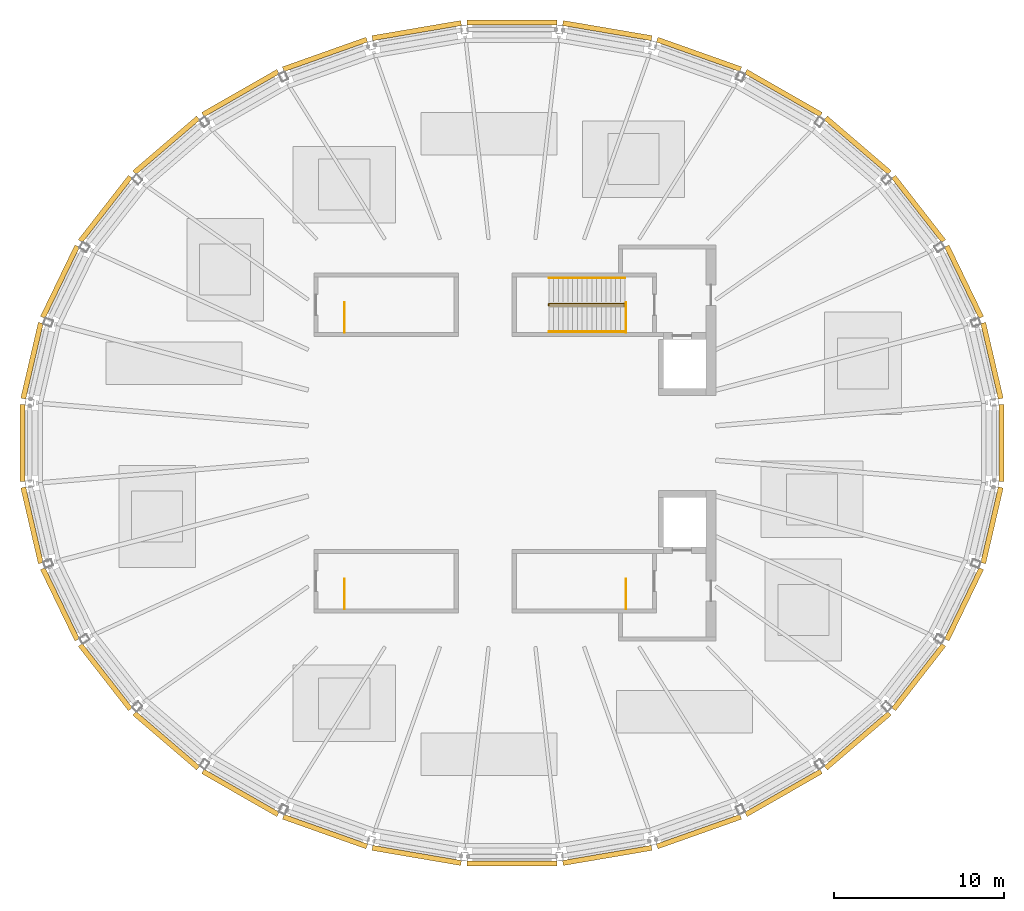
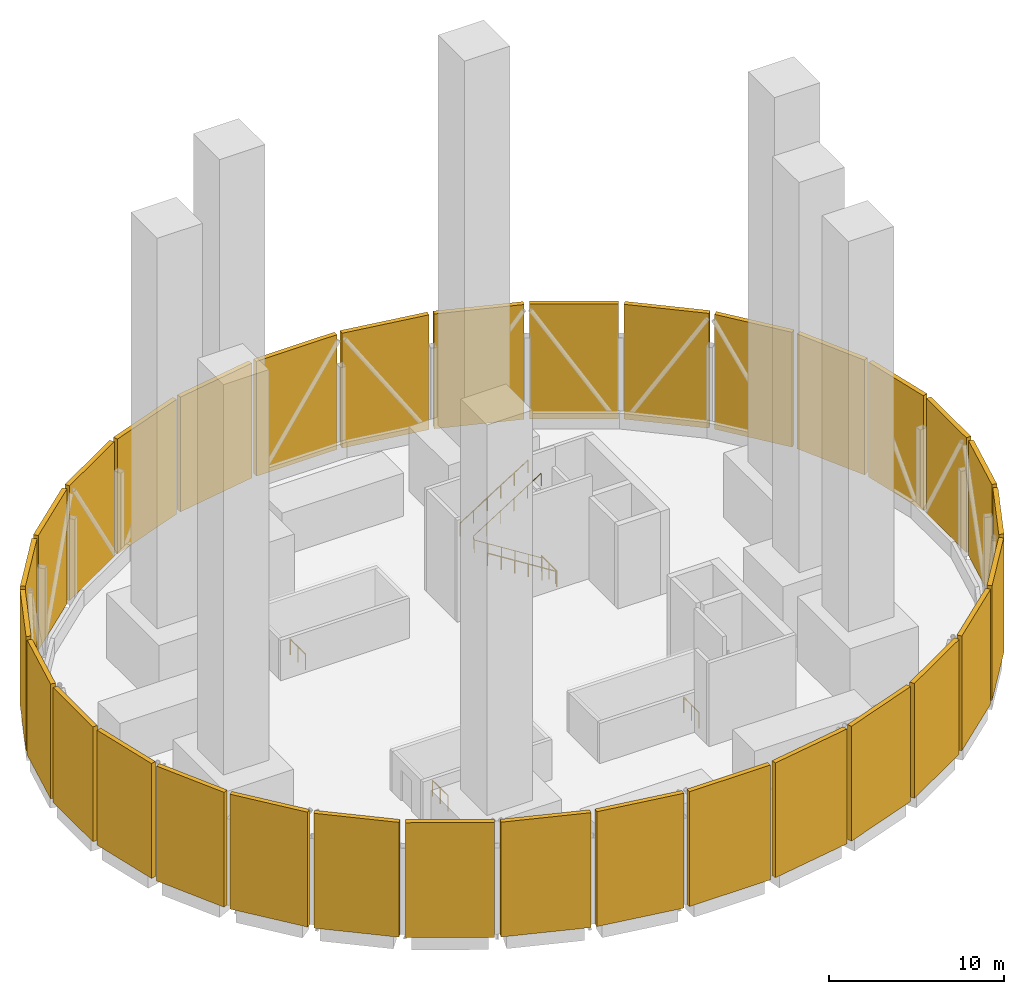
# One storey, part 6 of 7: 32 shading devices, 7 railings.
"""IFC4 building model written with IfcOpenShell, lengths in metres."""

from ifc_helpers import new_model, si_unit, direction, frame, origin, origin_2d, place, context, subcontext, project, spatial, rectangle, circle, extrude, material, layer, layer_set, type_object, element, save


model = new_model("IFC4")

# Units and contexts
model_context = context("Model", 3, precision=1e-05, world=origin(), true_north=direction((0.0, 1.0)))
body_context = subcontext(model_context, "Body", "Model", "MODEL_VIEW")
ifc_project = project(units=[si_unit("LENGTHUNIT", "METRE"), si_unit("AREAUNIT", "SQUARE_METRE"), si_unit("VOLUMEUNIT", "CUBIC_METRE"), si_unit("PLANEANGLEUNIT", "RADIAN"), si_unit("MASSUNIT", "GRAM", prefix="KILO")], contexts=[model_context])

# Site, building, storey
site_placement = place(None, origin())
site = spatial("IfcSite", under=ifc_project, at=site_placement, CompositionType="ELEMENT")
building_placement = place(site_placement, origin())
building = spatial("IfcBuilding", under=site, at=building_placement, Name="Halqa Exchange Tower", CompositionType="ELEMENT")
storey_placement = place(building_placement, frame((0.0, 0.0, 349.300048828125)))
storey = spatial("IfcBuildingStorey", under=building, at=storey_placement, Name="Roof crown", CompositionType="ELEMENT", Elevation=349.300048828125)

# Shading devices
ifc_material_1 = material(Name="Anodised aluminium louvre", Category="aluminium")
ifc_layer = layer(ifc_material_1, 0.300048828125)
ifc_layer_set = layer_set([ifc_layer], Name="Anodised aluminium louvre")
shading_device_type = type_object("IfcShadingDeviceType", Name="Crown louvre SCREEN panel 300", PredefinedType="USERDEFINED", material=ifc_layer_set)
shading_device_1_placement = place(storey_placement, frame((28.221923828125, 4.83642578125, 0.0), z_axis=(0.0, 0.0, 1.0), x_axis=(-0.22612090233, 0.974099244189, 0.0)))
element("IfcShadingDevice", 1, at=shading_device_1_placement, inside=storey, type_object=shading_device_type, Name="Crown louvre SCREEN 1.1", ObjectType="SCREEN", PredefinedType="USERDEFINED", context=body_context, shape_type="SweptSolid", body=[
    extrude(rectangle(XDim=4.570556640625, YDim=0.300048828125, at=origin_2d()), origin(), (0.0, 0.0, 1.0), 8.0),
])
shading_device_2_placement = place(storey_placement, frame((26.576904296875, 9.4833984375, 0.0), z_axis=(0.0, 0.0, 1.0), x_axis=(-0.435179244012, 0.900343837421, 0.0)))
element("IfcShadingDevice", 2, at=shading_device_2_placement, inside=storey, type_object=shading_device_type, Name="Crown louvre SCREEN 2.1", ObjectType="SCREEN", PredefinedType="USERDEFINED", context=body_context, shape_type="SweptSolid", body=[
    extrude(rectangle(XDim=4.660400390625, YDim=0.300048828125, at=origin_2d()), origin(), (0.0, 0.0, 1.0), 8.0),
])
shading_device_3_placement = place(storey_placement, frame((23.9091796875, 13.760498046875, 0.0), z_axis=(0.0, 0.0, 1.0), x_axis=(-0.6149075085, 0.788599236616, 0.0)))
element("IfcShadingDevice", 3, at=shading_device_3_placement, inside=storey, type_object=shading_device_type, Name="Crown louvre SCREEN 3.1", ObjectType="SCREEN", PredefinedType="USERDEFINED", context=body_context, shape_type="SweptSolid", body=[
    extrude(rectangle(XDim=4.792236328125, YDim=0.300048828125, at=origin_2d()), origin(), (0.0, 0.0, 1.0), 8.0),
])
shading_device_4_placement = place(storey_placement, frame((20.324462890625, 17.503662109375, 0.0), z_axis=(0.0, 0.0, 1.0), x_axis=(-0.759317873817, 0.650719883284, 0.0)))
element("IfcShadingDevice", 4, at=shading_device_4_placement, inside=storey, type_object=shading_device_type, Name="Crown louvre SCREEN 4.1", ObjectType="SCREEN", PredefinedType="USERDEFINED", context=body_context, shape_type="SweptSolid", body=[
    extrude(rectangle(XDim=4.943603515625, YDim=0.300048828125, at=origin_2d()), origin(), (0.0, 0.0, 1.0), 8.0),
])
shading_device_5_placement = place(storey_placement, frame((15.962646484375, 20.5712890625, 0.0), z_axis=(0.0, 0.0, 1.0), x_axis=(-0.867803615671, 0.496907319959, 0.0)))
element("IfcShadingDevice", 5, at=shading_device_5_placement, inside=storey, type_object=shading_device_type, Name="Crown louvre SCREEN 5.1", ObjectType="SCREEN", PredefinedType="USERDEFINED", context=body_context, shape_type="SweptSolid", body=[
    extrude(rectangle(XDim=5.0908203125, YDim=0.300048828125, at=origin_2d()), origin(), (0.0, 0.0, 1.0), 8.0),
])
shading_device_6_placement = place(storey_placement, frame((10.99169921875, 22.84814453125, 0.0), z_axis=(0.0, 0.0, 1.0), x_axis=(-0.94238778719, 0.334522433559, 0.0)))
element("IfcShadingDevice", 6, at=shading_device_6_placement, inside=storey, type_object=shading_device_type, Name="Crown louvre SCREEN 6.1", ObjectType="SCREEN", PredefinedType="USERDEFINED", context=body_context, shape_type="SweptSolid", body=[
    extrude(rectangle(XDim=5.212646484375, YDim=0.300048828125, at=origin_2d()), origin(), (0.0, 0.0, 1.0), 8.0),
])
shading_device_7_placement = place(storey_placement, frame((5.6025390625, 24.249267578125, 0.0), z_axis=(0.0, 0.0, 1.0), x_axis=(-0.985778359171, 0.168050666732, 0.0)))
element("IfcShadingDevice", 7, at=shading_device_7_placement, inside=storey, type_object=shading_device_type, Name="Crown louvre SCREEN 7.1", ObjectType="SCREEN", PredefinedType="USERDEFINED", context=body_context, shape_type="SweptSolid", body=[
    extrude(rectangle(XDim=5.29248046875, YDim=0.300048828125, at=origin_2d()), origin(), (0.0, 0.0, 1.0), 8.0),
])
shading_device_8_placement = place(storey_placement, frame((0.0, 24.72216796875, 0.0), z_axis=(0.0, 0.0, 1.0), x_axis=(-1.0, 0.0, 0.0)))
element("IfcShadingDevice", 8, at=shading_device_8_placement, inside=storey, type_object=shading_device_type, Name="Crown louvre SCREEN 8.1", ObjectType="SCREEN", PredefinedType="USERDEFINED", context=body_context, shape_type="SweptSolid", body=[
    extrude(rectangle(XDim=5.320556640625, YDim=0.300048828125, at=origin_2d()), origin(), (0.0, 0.0, 1.0), 8.0),
])
shading_device_9_placement = place(storey_placement, frame((-5.6025390625, 24.249267578125, 0.0), z_axis=(0.0, 0.0, 1.0), x_axis=(-0.985778359171, -0.168050666732, 0.0)))
element("IfcShadingDevice", 9, at=shading_device_9_placement, inside=storey, type_object=shading_device_type, Name="Crown louvre SCREEN 9.1", ObjectType="SCREEN", PredefinedType="USERDEFINED", context=body_context, shape_type="SweptSolid", body=[
    extrude(rectangle(XDim=5.29248046875, YDim=0.300048828125, at=origin_2d()), origin(), (0.0, 0.0, 1.0), 8.0),
])
shading_device_10_placement = place(storey_placement, frame((-10.99169921875, 22.84814453125, 0.0), z_axis=(0.0, 0.0, 1.0), x_axis=(-0.94238778719, -0.334522433559, 0.0)))
element("IfcShadingDevice", 10, at=shading_device_10_placement, inside=storey, type_object=shading_device_type, Name="Crown louvre SCREEN 10.1", ObjectType="SCREEN", PredefinedType="USERDEFINED", context=body_context, shape_type="SweptSolid", body=[
    extrude(rectangle(XDim=5.212646484375, YDim=0.300048828125, at=origin_2d()), origin(), (0.0, 0.0, 1.0), 8.0),
])
shading_device_11_placement = place(storey_placement, frame((-15.962646484375, 20.5712890625, 0.0), z_axis=(0.0, 0.0, 1.0), x_axis=(-0.867803615671, -0.496907319959, 0.0)))
element("IfcShadingDevice", 11, at=shading_device_11_placement, inside=storey, type_object=shading_device_type, Name="Crown louvre SCREEN 11.1", ObjectType="SCREEN", PredefinedType="USERDEFINED", context=body_context, shape_type="SweptSolid", body=[
    extrude(rectangle(XDim=5.0908203125, YDim=0.300048828125, at=origin_2d()), origin(), (0.0, 0.0, 1.0), 8.0),
])
shading_device_12_placement = place(storey_placement, frame((-20.324462890625, 17.503662109375, 0.0), z_axis=(0.0, 0.0, 1.0), x_axis=(-0.759317873817, -0.650719883284, 0.0)))
element("IfcShadingDevice", 12, at=shading_device_12_placement, inside=storey, type_object=shading_device_type, Name="Crown louvre SCREEN 12.1", ObjectType="SCREEN", PredefinedType="USERDEFINED", context=body_context, shape_type="SweptSolid", body=[
    extrude(rectangle(XDim=4.943603515625, YDim=0.300048828125, at=origin_2d()), origin(), (0.0, 0.0, 1.0), 8.0),
])
shading_device_13_placement = place(storey_placement, frame((-23.9091796875, 13.760498046875, 0.0), z_axis=(0.0, 0.0, 1.0), x_axis=(-0.6149075085, -0.788599236616, 0.0)))
element("IfcShadingDevice", 13, at=shading_device_13_placement, inside=storey, type_object=shading_device_type, Name="Crown louvre SCREEN 13.1", ObjectType="SCREEN", PredefinedType="USERDEFINED", context=body_context, shape_type="SweptSolid", body=[
    extrude(rectangle(XDim=4.792236328125, YDim=0.300048828125, at=origin_2d()), origin(), (0.0, 0.0, 1.0), 8.0),
])
shading_device_14_placement = place(storey_placement, frame((-26.576904296875, 9.4833984375, 0.0), z_axis=(0.0, 0.0, 1.0), x_axis=(-0.435179244012, -0.900343837421, 0.0)))
element("IfcShadingDevice", 14, at=shading_device_14_placement, inside=storey, type_object=shading_device_type, Name="Crown louvre SCREEN 14.1", ObjectType="SCREEN", PredefinedType="USERDEFINED", context=body_context, shape_type="SweptSolid", body=[
    extrude(rectangle(XDim=4.660400390625, YDim=0.300048828125, at=origin_2d()), origin(), (0.0, 0.0, 1.0), 8.0),
])
shading_device_15_placement = place(storey_placement, frame((-28.221923828125, 4.83642578125, 0.0), z_axis=(0.0, 0.0, 1.0), x_axis=(-0.22612090233, -0.974099244189, 0.0)))
element("IfcShadingDevice", 15, at=shading_device_15_placement, inside=storey, type_object=shading_device_type, Name="Crown louvre SCREEN 15.1", ObjectType="SCREEN", PredefinedType="USERDEFINED", context=body_context, shape_type="SweptSolid", body=[
    extrude(rectangle(XDim=4.570556640625, YDim=0.300048828125, at=origin_2d()), origin(), (0.0, 0.0, 1.0), 8.0),
])
shading_device_16_placement = place(storey_placement, frame((-28.77783203125, 0.0, 0.0), z_axis=(0.0, 0.0, 1.0), x_axis=(0.0, -1.0, 0.0)))
element("IfcShadingDevice", 16, at=shading_device_16_placement, inside=storey, type_object=shading_device_type, Name="Crown louvre SCREEN 16.1", ObjectType="SCREEN", PredefinedType="USERDEFINED", context=body_context, shape_type="SweptSolid", body=[
    extrude(rectangle(XDim=4.53857421875, YDim=0.300048828125, at=origin_2d()), origin(), (0.0, 0.0, 1.0), 8.0),
])
shading_device_17_placement = place(storey_placement, frame((-28.221923828125, -4.83642578125, 0.0), z_axis=(0.0, 0.0, 1.0), x_axis=(0.22612090233, -0.974099244189, 0.0)))
element("IfcShadingDevice", 17, at=shading_device_17_placement, inside=storey, type_object=shading_device_type, Name="Crown louvre SCREEN 17.1", ObjectType="SCREEN", PredefinedType="USERDEFINED", context=body_context, shape_type="SweptSolid", body=[
    extrude(rectangle(XDim=4.570556640625, YDim=0.300048828125, at=origin_2d()), origin(), (0.0, 0.0, 1.0), 8.0),
])
shading_device_18_placement = place(storey_placement, frame((-26.576904296875, -9.4833984375, 0.0), z_axis=(0.0, 0.0, 1.0), x_axis=(0.435179244012, -0.900343837421, 0.0)))
element("IfcShadingDevice", 18, at=shading_device_18_placement, inside=storey, type_object=shading_device_type, Name="Crown louvre SCREEN 18.1", ObjectType="SCREEN", PredefinedType="USERDEFINED", context=body_context, shape_type="SweptSolid", body=[
    extrude(rectangle(XDim=4.660400390625, YDim=0.300048828125, at=origin_2d()), origin(), (0.0, 0.0, 1.0), 8.0),
])
shading_device_19_placement = place(storey_placement, frame((-23.9091796875, -13.760498046875, 0.0), z_axis=(0.0, 0.0, 1.0), x_axis=(0.6149075085, -0.788599236616, 0.0)))
element("IfcShadingDevice", 19, at=shading_device_19_placement, inside=storey, type_object=shading_device_type, Name="Crown louvre SCREEN 19.1", ObjectType="SCREEN", PredefinedType="USERDEFINED", context=body_context, shape_type="SweptSolid", body=[
    extrude(rectangle(XDim=4.792236328125, YDim=0.300048828125, at=origin_2d()), origin(), (0.0, 0.0, 1.0), 8.0),
])
shading_device_20_placement = place(storey_placement, frame((-20.324462890625, -17.503662109375, 0.0), z_axis=(0.0, 0.0, 1.0), x_axis=(0.759317873817, -0.650719883284, 0.0)))
element("IfcShadingDevice", 20, at=shading_device_20_placement, inside=storey, type_object=shading_device_type, Name="Crown louvre SCREEN 20.1", ObjectType="SCREEN", PredefinedType="USERDEFINED", context=body_context, shape_type="SweptSolid", body=[
    extrude(rectangle(XDim=4.943603515625, YDim=0.300048828125, at=origin_2d()), origin(), (0.0, 0.0, 1.0), 8.0),
])
shading_device_21_placement = place(storey_placement, frame((-15.962646484375, -20.5712890625, 0.0), z_axis=(0.0, 0.0, 1.0), x_axis=(0.867803615671, -0.496907319959, 0.0)))
element("IfcShadingDevice", 21, at=shading_device_21_placement, inside=storey, type_object=shading_device_type, Name="Crown louvre SCREEN 21.1", ObjectType="SCREEN", PredefinedType="USERDEFINED", context=body_context, shape_type="SweptSolid", body=[
    extrude(rectangle(XDim=5.0908203125, YDim=0.300048828125, at=origin_2d()), origin(), (0.0, 0.0, 1.0), 8.0),
])
shading_device_22_placement = place(storey_placement, frame((-10.99169921875, -22.84814453125, 0.0), z_axis=(0.0, 0.0, 1.0), x_axis=(0.94238778719, -0.334522433559, 0.0)))
element("IfcShadingDevice", 22, at=shading_device_22_placement, inside=storey, type_object=shading_device_type, Name="Crown louvre SCREEN 22.1", ObjectType="SCREEN", PredefinedType="USERDEFINED", context=body_context, shape_type="SweptSolid", body=[
    extrude(rectangle(XDim=5.212646484375, YDim=0.300048828125, at=origin_2d()), origin(), (0.0, 0.0, 1.0), 8.0),
])
shading_device_23_placement = place(storey_placement, frame((-5.6025390625, -24.249267578125, 0.0), z_axis=(0.0, 0.0, 1.0), x_axis=(0.985778359171, -0.168050666732, 0.0)))
element("IfcShadingDevice", 23, at=shading_device_23_placement, inside=storey, type_object=shading_device_type, Name="Crown louvre SCREEN 23.1", ObjectType="SCREEN", PredefinedType="USERDEFINED", context=body_context, shape_type="SweptSolid", body=[
    extrude(rectangle(XDim=5.29248046875, YDim=0.300048828125, at=origin_2d()), origin(), (0.0, 0.0, 1.0), 8.0),
])
shading_device_24_placement = place(storey_placement, frame((0.0, -24.72216796875, 0.0), z_axis=(0.0, 0.0, 1.0), x_axis=(1.0, 0.0, 0.0)))
element("IfcShadingDevice", 24, at=shading_device_24_placement, inside=storey, type_object=shading_device_type, Name="Crown louvre SCREEN 24.1", ObjectType="SCREEN", PredefinedType="USERDEFINED", context=body_context, shape_type="SweptSolid", body=[
    extrude(rectangle(XDim=5.320556640625, YDim=0.300048828125, at=origin_2d()), origin(), (0.0, 0.0, 1.0), 8.0),
])
shading_device_25_placement = place(storey_placement, frame((5.6025390625, -24.249267578125, 0.0), z_axis=(0.0, 0.0, 1.0), x_axis=(0.985778359171, 0.168050666732, 0.0)))
element("IfcShadingDevice", 25, at=shading_device_25_placement, inside=storey, type_object=shading_device_type, Name="Crown louvre SCREEN 25.1", ObjectType="SCREEN", PredefinedType="USERDEFINED", context=body_context, shape_type="SweptSolid", body=[
    extrude(rectangle(XDim=5.29248046875, YDim=0.300048828125, at=origin_2d()), origin(), (0.0, 0.0, 1.0), 8.0),
])
shading_device_26_placement = place(storey_placement, frame((10.99169921875, -22.84814453125, 0.0), z_axis=(0.0, 0.0, 1.0), x_axis=(0.94238778719, 0.334522433559, 0.0)))
element("IfcShadingDevice", 26, at=shading_device_26_placement, inside=storey, type_object=shading_device_type, Name="Crown louvre SCREEN 26.1", ObjectType="SCREEN", PredefinedType="USERDEFINED", context=body_context, shape_type="SweptSolid", body=[
    extrude(rectangle(XDim=5.212646484375, YDim=0.300048828125, at=origin_2d()), origin(), (0.0, 0.0, 1.0), 8.0),
])
shading_device_27_placement = place(storey_placement, frame((15.962646484375, -20.5712890625, 0.0), z_axis=(0.0, 0.0, 1.0), x_axis=(0.867803615671, 0.496907319959, 0.0)))
element("IfcShadingDevice", 27, at=shading_device_27_placement, inside=storey, type_object=shading_device_type, Name="Crown louvre SCREEN 27.1", ObjectType="SCREEN", PredefinedType="USERDEFINED", context=body_context, shape_type="SweptSolid", body=[
    extrude(rectangle(XDim=5.0908203125, YDim=0.300048828125, at=origin_2d()), origin(), (0.0, 0.0, 1.0), 8.0),
])
shading_device_28_placement = place(storey_placement, frame((20.324462890625, -17.503662109375, 0.0), z_axis=(0.0, 0.0, 1.0), x_axis=(0.759317873817, 0.650719883284, 0.0)))
element("IfcShadingDevice", 28, at=shading_device_28_placement, inside=storey, type_object=shading_device_type, Name="Crown louvre SCREEN 28.1", ObjectType="SCREEN", PredefinedType="USERDEFINED", context=body_context, shape_type="SweptSolid", body=[
    extrude(rectangle(XDim=4.943603515625, YDim=0.300048828125, at=origin_2d()), origin(), (0.0, 0.0, 1.0), 8.0),
])
shading_device_29_placement = place(storey_placement, frame((23.9091796875, -13.760498046875, 0.0), z_axis=(0.0, 0.0, 1.0), x_axis=(0.6149075085, 0.788599236616, 0.0)))
element("IfcShadingDevice", 29, at=shading_device_29_placement, inside=storey, type_object=shading_device_type, Name="Crown louvre SCREEN 29.1", ObjectType="SCREEN", PredefinedType="USERDEFINED", context=body_context, shape_type="SweptSolid", body=[
    extrude(rectangle(XDim=4.792236328125, YDim=0.300048828125, at=origin_2d()), origin(), (0.0, 0.0, 1.0), 8.0),
])
shading_device_30_placement = place(storey_placement, frame((26.576904296875, -9.4833984375, 0.0), z_axis=(0.0, 0.0, 1.0), x_axis=(0.435179244012, 0.900343837421, 0.0)))
element("IfcShadingDevice", 30, at=shading_device_30_placement, inside=storey, type_object=shading_device_type, Name="Crown louvre SCREEN 30.1", ObjectType="SCREEN", PredefinedType="USERDEFINED", context=body_context, shape_type="SweptSolid", body=[
    extrude(rectangle(XDim=4.660400390625, YDim=0.300048828125, at=origin_2d()), origin(), (0.0, 0.0, 1.0), 8.0),
])
shading_device_31_placement = place(storey_placement, frame((28.221923828125, -4.83642578125, 0.0), z_axis=(0.0, 0.0, 1.0), x_axis=(0.22612090233, 0.974099244189, 0.0)))
element("IfcShadingDevice", 31, at=shading_device_31_placement, inside=storey, type_object=shading_device_type, Name="Crown louvre SCREEN 31.1", ObjectType="SCREEN", PredefinedType="USERDEFINED", context=body_context, shape_type="SweptSolid", body=[
    extrude(rectangle(XDim=4.570556640625, YDim=0.300048828125, at=origin_2d()), origin(), (0.0, 0.0, 1.0), 8.0),
])
shading_device_32_placement = place(storey_placement, frame((28.77783203125, 0.0, 0.0), z_axis=(0.0, 0.0, 1.0), x_axis=(0.0, 1.0, 0.0)))
element("IfcShadingDevice", 32, at=shading_device_32_placement, inside=storey, type_object=shading_device_type, Name="Crown louvre SCREEN 32.1", ObjectType="SCREEN", PredefinedType="USERDEFINED", context=body_context, shape_type="SweptSolid", body=[
    extrude(rectangle(XDim=4.53857421875, YDim=0.300048828125, at=origin_2d()), origin(), (0.0, 0.0, 1.0), 8.0),
])

# Railings
ifc_material_2 = material(Name="Stainless steel", Category="steel")
railing_type_1 = type_object("IfcRailingType", Name="Stair handrail 900", PredefinedType="HANDRAIL", material=ifc_material_2)
railing_1_placement = place(storey_placement, frame((6.64990234375, 8.06005859375, 0.176513671875)))
element("IfcRailing", 33, at=railing_1_placement, inside=storey, type_object=railing_type_1, Name="Handrail ST2.1", PredefinedType="HANDRAIL", context=body_context, shape_type="SweptSolid", body=[
    extrude(circle(Radius=0.02392578125, at=origin_2d()), frame((0.0, 0.0, 0.8759765625), z_axis=(-0.845997938375, 0.0, 0.533186166611), x_axis=(0.0, -1.0, 0.0)), (0.0, 0.0, 1.0), 5.29541015625),
    extrude(circle(Radius=0.02392578125, at=origin_2d()), frame((-4.47998046875, 0.0, 3.69921875), z_axis=(0.0, 0.592666891562, 0.805447674059), x_axis=(-1.0, 0.0, 0.0)), (0.0, 0.0, 1.0), 0.21923828125),
    extrude(circle(Radius=0.02392578125, at=origin_2d()), frame((-4.47998046875, 0.1298828125, 3.8759765625), z_axis=(0.845997938375, 0.0, 0.533186166611), x_axis=(0.0, 1.0, 0.0)), (0.0, 0.0, 1.0), 5.29541015625),
    extrude(circle(Radius=0.02099609375, at=origin_2d()), origin(), (0.0, 0.0, 1.0), 0.851806640625),
    extrude(circle(Radius=0.02099609375, at=origin_2d()), frame((-0.89599609375, 0.0, 0.564697265625)), (0.0, 0.0, 1.0), 0.851806640625),
    extrude(circle(Radius=0.02099609375, at=origin_2d()), frame((-1.7919921875, 0.0, 1.12939453125)), (0.0, 0.0, 1.0), 0.851806640625),
    extrude(circle(Radius=0.02099609375, at=origin_2d()), frame((-2.68798828125, 0.0, 1.694091796875)), (0.0, 0.0, 1.0), 0.851806640625),
    extrude(circle(Radius=0.02099609375, at=origin_2d()), frame((-3.583984375, 0.0, 2.2587890625)), (0.0, 0.0, 1.0), 0.851806640625),
    extrude(circle(Radius=0.02099609375, at=origin_2d()), frame((-4.47998046875, 0.0, 2.823486328125)), (0.0, 0.0, 1.0), 0.851806640625),
    extrude(circle(Radius=0.02099609375, at=origin_2d()), frame((-4.47998046875, 0.1298828125, 3.0)), (0.0, 0.0, 1.0), 0.851806640625),
    extrude(circle(Radius=0.02099609375, at=origin_2d()), frame((-3.583984375, 0.1298828125, 3.564697265625)), (0.0, 0.0, 1.0), 0.851806640625),
    extrude(circle(Radius=0.02099609375, at=origin_2d()), frame((-2.68798828125, 0.1298828125, 4.12939453125)), (0.0, 0.0, 1.0), 0.851806640625),
    extrude(circle(Radius=0.02099609375, at=origin_2d()), frame((-1.7919921875, 0.1298828125, 4.694091796875)), (0.0, 0.0, 1.0), 0.851806640625),
    extrude(circle(Radius=0.02099609375, at=origin_2d()), frame((-0.89599609375, 0.1298828125, 5.2587890625)), (0.0, 0.0, 1.0), 0.851806640625),
    extrude(circle(Radius=0.02099609375, at=origin_2d()), frame((0.0, 0.1298828125, 5.823486328125)), (0.0, 0.0, 1.0), 0.851806640625),
])
railing_2_placement = place(storey_placement, frame((6.64990234375, 6.550048828125, 0.176513671875)))
element("IfcRailing", 34, at=railing_2_placement, inside=storey, type_object=railing_type_1, Name="Handrail ST2.2", PredefinedType="HANDRAIL", context=body_context, shape_type="SweptSolid", body=[
    extrude(circle(Radius=0.02392578125, at=origin_2d()), frame((0.0, 0.0, 0.8759765625), z_axis=(-0.845997938375, 0.0, 0.533186166611), x_axis=(0.0, -1.0, 0.0)), (0.0, 0.0, 1.0), 5.29541015625),
    extrude(circle(Radius=0.02099609375, at=origin_2d()), origin(), (0.0, 0.0, 1.0), 0.851806640625),
    extrude(circle(Radius=0.02099609375, at=origin_2d()), frame((-0.89599609375, 0.0, 0.564697265625)), (0.0, 0.0, 1.0), 0.851806640625),
    extrude(circle(Radius=0.02099609375, at=origin_2d()), frame((-1.7919921875, 0.0, 1.12939453125)), (0.0, 0.0, 1.0), 0.851806640625),
    extrude(circle(Radius=0.02099609375, at=origin_2d()), frame((-2.68798828125, 0.0, 1.694091796875)), (0.0, 0.0, 1.0), 0.851806640625),
    extrude(circle(Radius=0.02099609375, at=origin_2d()), frame((-3.583984375, 0.0, 2.2587890625)), (0.0, 0.0, 1.0), 0.851806640625),
    extrude(circle(Radius=0.02099609375, at=origin_2d()), frame((-4.47998046875, 0.0, 2.823486328125)), (0.0, 0.0, 1.0), 0.851806640625),
])
railing_3_placement = place(storey_placement, frame((2.169921875, 9.699951171875, 3.176513671875)))
element("IfcRailing", 35, at=railing_3_placement, inside=storey, type_object=railing_type_1, Name="Handrail ST2.3", PredefinedType="HANDRAIL", context=body_context, shape_type="SweptSolid", body=[
    extrude(circle(Radius=0.02392578125, at=origin_2d()), frame((0.0, 0.0, 0.8759765625), z_axis=(0.845997938375, 0.0, 0.533186166611), x_axis=(0.0, 1.0, 0.0)), (0.0, 0.0, 1.0), 5.29541015625),
    extrude(circle(Radius=0.02099609375, at=origin_2d()), origin(), (0.0, 0.0, 1.0), 0.851806640625),
    extrude(circle(Radius=0.02099609375, at=origin_2d()), frame((0.89599609375, 0.0, 0.564697265625)), (0.0, 0.0, 1.0), 0.851806640625),
    extrude(circle(Radius=0.02099609375, at=origin_2d()), frame((1.7919921875, 0.0, 1.12939453125)), (0.0, 0.0, 1.0), 0.851806640625),
    extrude(circle(Radius=0.02099609375, at=origin_2d()), frame((2.68798828125, 0.0, 1.694091796875)), (0.0, 0.0, 1.0), 0.851806640625),
    extrude(circle(Radius=0.02099609375, at=origin_2d()), frame((3.583984375, 0.0, 2.2587890625)), (0.0, 0.0, 1.0), 0.851806640625),
    extrude(circle(Radius=0.02099609375, at=origin_2d()), frame((4.47998046875, 0.0, 2.823486328125)), (0.0, 0.0, 1.0), 0.851806640625),
])
railing_type_2 = type_object("IfcRailingType", Name="Stair well guard 1100", PredefinedType="GUARDRAIL", material=ifc_material_2)
for number, where, name in (
    (36, (-9.85009765625, 6.5, 0.0), "Guard ST1 well"),
    (37, (6.699951171875, 6.5, 0.0), "Guard ST2 well"),
    (38, (-9.85009765625, -9.75, 0.0), "Guard ST3 well"),
    (39, (6.699951171875, -9.75, 0.0), "Guard ST4 well"),
):
    element("IfcRailing", number, at=place(storey_placement, frame(where)), inside=storey, type_object=railing_type_2, Name=name, PredefinedType="GUARDRAIL", context=body_context, shape_type="SweptSolid", body=[
        extrude(circle(Radius=0.02392578125, at=origin_2d()), frame((0.0, 0.0, 1.076171875), z_axis=(0.0, 1.0, 0.0), x_axis=(-1.0, 0.0, 0.0)), (0.0, 0.0, 1.0), 1.75),
        extrude(circle(Radius=0.02099609375, at=origin_2d()), origin(), (0.0, 0.0, 1.0), 1.052001953125),
        extrude(circle(Radius=0.02099609375, at=origin_2d()), frame((0.0, 0.875, 0.0)), (0.0, 0.0, 1.0), 1.052001953125),
        extrude(circle(Radius=0.02099609375, at=origin_2d()), frame((0.0, 1.75, 0.0)), (0.0, 0.0, 1.0), 1.052001953125),
    ])

save(model, "model.ifc")
